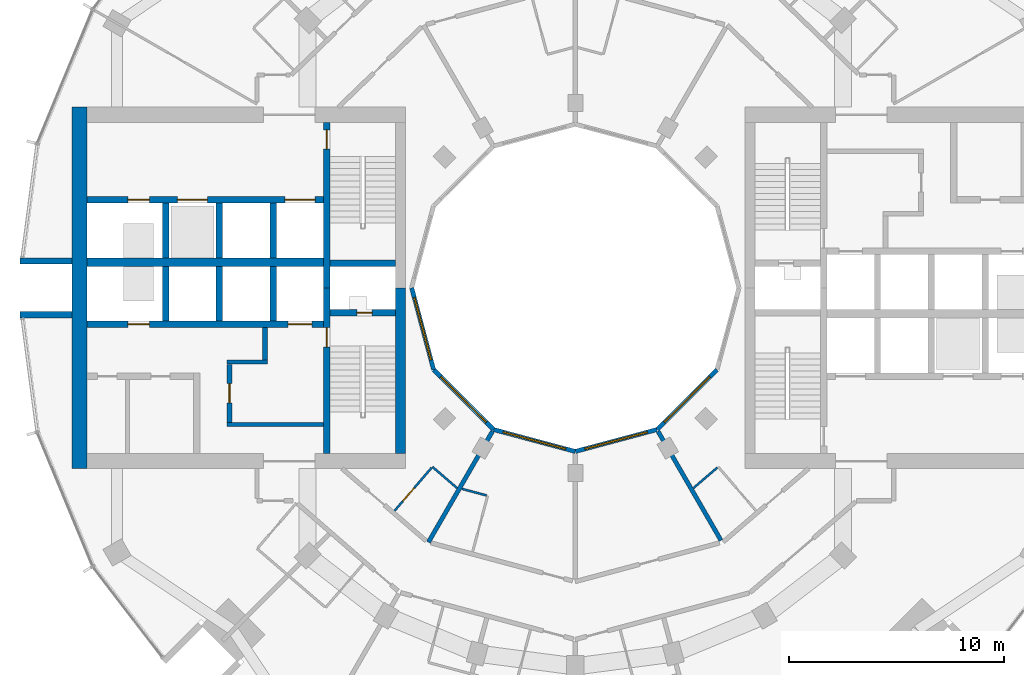
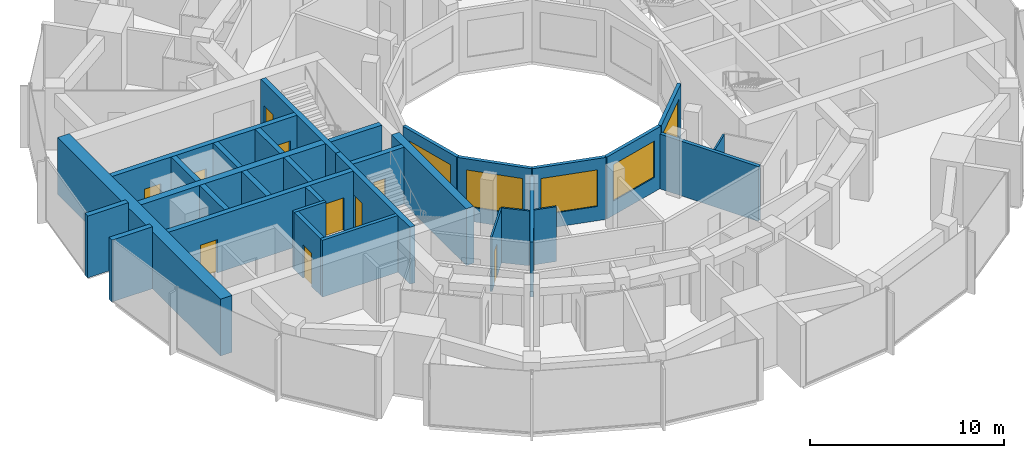
# One storey, part 9 of 15: 32 walls, 10 doors, 5 windows, 15 openings.
"""IFC4 building model written with IfcOpenShell, lengths in metres."""

from ifc_helpers import new_model, si_unit, direction, frame, frame_2d, origin, place, context, subcontext, project, spatial, rectangle, extrude, material, layer, layer_set, type_object, element, fill, save


model = new_model("IFC4")

# Units and contexts
model_context = context("Model", 3, precision=1e-05, world=origin(), true_north=direction((0.0, 1.0)))
body_context = subcontext(model_context, "Body", "Model", "MODEL_VIEW")
ifc_project = project(units=[si_unit("LENGTHUNIT", "METRE"), si_unit("AREAUNIT", "SQUARE_METRE"), si_unit("VOLUMEUNIT", "CUBIC_METRE"), si_unit("PLANEANGLEUNIT", "RADIAN"), si_unit("MASSUNIT", "GRAM", prefix="KILO")], contexts=[model_context])

# Site, building, storey
site_placement = place(None, origin())
site = spatial("IfcSite", under=ifc_project, at=site_placement, CompositionType="ELEMENT")
building_placement = place(site_placement, origin())
building = spatial("IfcBuilding", under=site, at=building_placement, Name="Torre Brocal", CompositionType="ELEMENT")
storey_placement = place(building_placement, frame((0.0, 0.0, 141.89990234375)))
storey = spatial("IfcBuildingStorey", under=building, at=storey_placement, Name="L33", CompositionType="ELEMENT", Elevation=141.89990234375)

# Walls
ifc_material_1 = material(Name="Concrete C70", Category="concrete")
ifc_layer_1 = layer(ifc_material_1, 0.199951171875)
ifc_layer_set_1 = layer_set([ifc_layer_1], Name="Concrete C70")
wall_type_1 = type_object("IfcWallType", Name="CORE WALL 200 C70", PredefinedType="SHEAR", material=ifc_layer_set_1)
wall_1_placement = place(storey_placement, frame((68.300048828125, 68.64990234375, 0.0), z_axis=(0.0, 0.0, 1.0), x_axis=(-1.0, 0.0, 0.0)))
element("IfcWall", 1, at=wall_1_placement, inside=storey, type_object=wall_type_1, Name="Wall CW200-70", PredefinedType="SHEAR", context=body_context, shape_type="SweptSolid", body=[
    extrude(rectangle(XDim=4.5, YDim=0.199951171875, at=frame_2d((2.25, 0.0))), origin(), (0.0, 0.0, 1.0), 3.580078125),
])
wall_2_placement = place(storey_placement, frame((65.699951171875, 71.550048828125, 0.0), z_axis=(0.0, 0.0, 1.0), x_axis=(-1.0, 0.0, 0.0)))
element("IfcWall", 2, at=wall_2_placement, inside=storey, type_object=wall_type_1, Name="Wall CW200-70", PredefinedType="SHEAR", context=body_context, shape_type="SweptSolid", body=[
    extrude(rectangle(XDim=1.89990234375, YDim=0.199951171875, at=frame_2d((0.949951171875, 0.0))), origin(), (0.0, 0.0, 1.0), 3.580078125),
])

# Wall, opening, door
ifc_material_2 = material(Name="Concrete C70", Category="concrete")
ifc_layer_2 = layer(ifc_material_2, 0.25)
ifc_layer_set_2 = layer_set([ifc_layer_2], Name="Concrete C70")
wall_type_2 = type_object("IfcWallType", Name="CORE WALL 250 C70", PredefinedType="SHEAR", material=ifc_layer_set_2)
wall_3_placement = place(storey_placement, frame((63.925048828125, 71.449951171875, 0.0), z_axis=(0.0, 0.0, 1.0), x_axis=(0.0, -1.0, 0.0)))
wall_3 = element("IfcWall", 3, at=wall_3_placement, inside=storey, type_object=wall_type_2, Name="Wall CW250-70", PredefinedType="SHEAR", context=body_context, shape_type="SweptSolid", body=[
    extrude(rectangle(XDim=2.699951171875, YDim=0.25, at=frame_2d((1.35009765625, 0.0))), origin(), (0.0, 0.0, 1.0), 3.580078125),
])
opening_1_placement = place(wall_3_placement, frame((0.89990234375, 0.0, 0.0)))
opening_1 = element("IfcOpeningElement", 4, at=opening_1_placement, cuts=wall_3, Name="Opening W-D15", PredefinedType="OPENING", context=body_context, shape_type="SweptSolid", body=[
    extrude(rectangle(XDim=0.89990234375, YDim=2.10009765625, at=frame_2d((0.449951171875, 1.050048828125))), frame((0.0, 0.135009765625, 0.0), z_axis=(0.0, -1.0, 0.0), x_axis=(1.0, 0.0, 0.0)), (0.0, 0.0, 1.0), 0.27001953125),
])
ifc_material_3 = material(Name="Steel A653", Category="steel")
door_type_1 = type_object("IfcDoorType", Name="LOBBY DOOR FD120 900X2100", OperationType="SINGLE_SWING_RIGHT", PredefinedType="DOOR", material=ifc_material_3)
door_1_placement = place(opening_1_placement, origin())
door_1 = element("IfcDoor", 5, at=door_1_placement, inside=storey, type_object=door_type_1, Name="Door W-D15", OperationType="SINGLE_SWING_LEFT", OverallHeight=2.10009765625, OverallWidth=0.89990234375, PredefinedType="DOOR", context=body_context, shape_type="SweptSolid", body=[
    extrude(rectangle(XDim=0.89990234375, YDim=2.10009765625, at=frame_2d((0.449951171875, 1.050048828125))), frame((0.0, 0.02490234375, 0.0), z_axis=(0.0, -1.0, 0.0), x_axis=(1.0, 0.0, 0.0)), (0.0, 0.0, 1.0), 0.050048828125),
])
fill(opening_1, door_1)

# Wall
wall_4_placement = place(storey_placement, frame((65.574951171875, 73.14990234375, 0.0), z_axis=(0.0, 0.0, 1.0), x_axis=(0.0, -1.0, 0.0)))
element("IfcWall", 6, at=wall_4_placement, inside=storey, type_object=wall_type_2, Name="Wall CW250-70", PredefinedType="SHEAR", context=body_context, shape_type="SweptSolid", body=[
    extrude(rectangle(XDim=1.5, YDim=0.25, at=frame_2d((0.75, 0.0))), origin(), (0.0, 0.0, 1.0), 3.580078125),
])

# Wall, opening, door
ifc_material_4 = material(Name="Concrete C70", Category="concrete")
ifc_layer_3 = layer(ifc_material_4, 0.300048828125)
ifc_layer_set_3 = layer_set([ifc_layer_3], Name="Concrete C70")
wall_type_3 = type_object("IfcWallType", Name="CORE WALL 300 C70", PredefinedType="SHEAR", material=ifc_layer_set_3)
wall_5_placement = place(storey_placement, frame((68.449951171875, 75.0, 0.0), z_axis=(0.0, 0.0, 1.0), x_axis=(0.0, -1.0, 0.0)))
wall_5 = element("IfcWall", 7, at=wall_5_placement, inside=storey, type_object=wall_type_3, Name="Wall CW300-70", PredefinedType="SHEAR", context=body_context, shape_type="SweptSolid", body=[
    extrude(rectangle(XDim=7.699951171875, YDim=0.300048828125, at=frame_2d((3.85009765625, 0.0))), origin(), (0.0, 0.0, 1.0), 3.580078125),
])
opening_2_placement = place(wall_5_placement, frame((1.85009765625, 0.0, 0.0)))
opening_2 = element("IfcOpeningElement", 8, at=opening_2_placement, cuts=wall_5, Name="Opening W-D02", PredefinedType="OPENING", context=body_context, shape_type="SweptSolid", body=[
    extrude(rectangle(XDim=0.89990234375, YDim=2.10009765625, at=frame_2d((0.449951171875, 1.050048828125))), frame((0.0, 0.159912109375, 0.0), z_axis=(0.0, -1.0, 0.0), x_axis=(1.0, 0.0, 0.0)), (0.0, 0.0, 1.0), 0.320068359375),
])
ifc_material_5 = material(Name="Steel A653", Category="steel")
door_type_2 = type_object("IfcDoorType", Name="STAIR DOOR FD120 900X2100", OperationType="SINGLE_SWING_RIGHT", PredefinedType="DOOR", material=ifc_material_5)
door_2_placement = place(opening_2_placement, origin())
door_2 = element("IfcDoor", 9, at=door_2_placement, inside=storey, type_object=door_type_2, Name="Door W-D02", OperationType="SINGLE_SWING_LEFT", OverallHeight=2.10009765625, OverallWidth=0.89990234375, PredefinedType="DOOR", context=body_context, shape_type="SweptSolid", body=[
    extrude(rectangle(XDim=0.89990234375, YDim=2.10009765625, at=frame_2d((0.449951171875, 1.050048828125))), frame((0.0, 0.02490234375, 0.0), z_axis=(0.0, -1.0, 0.0), x_axis=(1.0, 0.0, 0.0)), (0.0, 0.0, 1.0), 0.050048828125),
])
fill(opening_2, door_2)

wall_6_placement = place(storey_placement, frame((68.449951171875, 82.699951171875, 0.0), z_axis=(0.0, 0.0, 1.0), x_axis=(0.0, -1.0, 0.0)))
wall_6 = element("IfcWall", 10, at=wall_6_placement, inside=storey, type_object=wall_type_3, Name="Wall CW300-70", PredefinedType="SHEAR", context=body_context, shape_type="SweptSolid", body=[
    extrude(rectangle(XDim=7.699951171875, YDim=0.300048828125, at=frame_2d((3.85009765625, 0.0))), origin(), (0.0, 0.0, 1.0), 3.580078125),
])
opening_3_placement = place(wall_6_placement, frame((0.35009765625, 0.0, 0.0)))
opening_3 = element("IfcOpeningElement", 11, at=opening_3_placement, cuts=wall_6, Name="Opening W-D03", PredefinedType="OPENING", context=body_context, shape_type="SweptSolid", body=[
    extrude(rectangle(XDim=0.89990234375, YDim=2.10009765625, at=frame_2d((0.449951171875, 1.050048828125))), frame((0.0, 0.159912109375, 0.0), z_axis=(0.0, -1.0, 0.0), x_axis=(1.0, 0.0, 0.0)), (0.0, 0.0, 1.0), 0.320068359375),
])
door_3_placement = place(opening_3_placement, origin())
door_3 = element("IfcDoor", 12, at=door_3_placement, inside=storey, type_object=door_type_2, Name="Door W-D03", OperationType="SINGLE_SWING_LEFT", OverallHeight=2.10009765625, OverallWidth=0.89990234375, PredefinedType="DOOR", context=body_context, shape_type="SweptSolid", body=[
    extrude(rectangle(XDim=0.89990234375, YDim=2.10009765625, at=frame_2d((0.449951171875, 1.050048828125))), frame((0.0, 0.02490234375, 0.0), z_axis=(0.0, -1.0, 0.0), x_axis=(1.0, 0.0, 0.0)), (0.0, 0.0, 1.0), 0.050048828125),
])
fill(opening_3, door_3)

wall_7_placement = place(storey_placement, frame((71.64990234375, 73.85009765625, 0.0), z_axis=(0.0, 0.0, 1.0), x_axis=(-1.0, 0.0, 0.0)))
wall_7 = element("IfcWall", 13, at=wall_7_placement, inside=storey, type_object=wall_type_3, Name="Wall CW300-70", PredefinedType="SHEAR", context=body_context, shape_type="SweptSolid", body=[
    extrude(rectangle(XDim=3.0498046875, YDim=0.300048828125, at=frame_2d((1.52490234375, 0.0))), origin(), (0.0, 0.0, 1.0), 3.580078125),
])
opening_4_placement = place(wall_7_placement, frame((1.10009765625, 0.0, 0.0)))
opening_4 = element("IfcOpeningElement", 14, at=opening_4_placement, cuts=wall_7, Name="Opening W-D01", PredefinedType="OPENING", context=body_context, shape_type="SweptSolid", body=[
    extrude(rectangle(XDim=0.699951171875, YDim=2.0, at=frame_2d((0.35009765625, 1.0))), frame((0.0, 0.159912109375, 0.0), z_axis=(0.0, -1.0, 0.0), x_axis=(1.0, 0.0, 0.0)), (0.0, 0.0, 1.0), 0.320068359375),
])
ifc_material_6 = material(Name="Steel A653", Category="steel")
door_type_3 = type_object("IfcDoorType", Name="RISER DOOR FD120 700X2000", OperationType="SINGLE_SWING_LEFT", PredefinedType="DOOR", material=ifc_material_6)
door_4_placement = place(opening_4_placement, frame((0.699951171875, 0.0, 0.0), z_axis=(0.0, 0.0, 1.0), x_axis=(-1.0, 0.0, 0.0)))
door_4 = element("IfcDoor", 15, at=door_4_placement, inside=storey, type_object=door_type_3, Name="Door W-D01", OperationType="SINGLE_SWING_RIGHT", OverallHeight=2.0, OverallWidth=0.699951171875, PredefinedType="DOOR", context=body_context, shape_type="SweptSolid", body=[
    extrude(rectangle(XDim=0.699951171875, YDim=2.0, at=frame_2d((0.35009765625, 1.0))), frame((0.0, 0.02490234375, 0.0), z_axis=(0.0, -1.0, 0.0), x_axis=(1.0, 0.0, 0.0)), (0.0, 0.0, 1.0), 0.050048828125),
])
fill(opening_4, door_4)

# Wall
wall_8_placement = place(storey_placement, frame((71.64990234375, 76.14990234375, 0.0), z_axis=(0.0, 0.0, 1.0), x_axis=(-1.0, 0.0, 0.0)))
element("IfcWall", 16, at=wall_8_placement, inside=storey, type_object=wall_type_3, Name="Wall CW300-70", PredefinedType="SHEAR", context=body_context, shape_type="SweptSolid", body=[
    extrude(rectangle(XDim=3.0498046875, YDim=0.300048828125, at=frame_2d((1.52490234375, 0.0))), origin(), (0.0, 0.0, 1.0), 3.580078125),
])

# Wall, openings, doors
wall_9_placement = place(storey_placement, frame((68.300048828125, 73.300048828125, 0.0), z_axis=(0.0, 0.0, 1.0), x_axis=(-1.0, 0.0, 0.0)))
wall_9 = element("IfcWall", 17, at=wall_9_placement, inside=storey, type_object=wall_type_3, Name="Wall CW300-70", PredefinedType="SHEAR", context=body_context, shape_type="SweptSolid", body=[
    extrude(rectangle(XDim=11.0, YDim=0.300048828125, at=frame_2d((5.5, 0.0))), origin(), (0.0, 0.0, 1.0), 3.580078125),
])
opening_5_placement = place(wall_9_placement, frame((0.550048828125, 0.0, 0.0)))
opening_5 = element("IfcOpeningElement", 18, at=opening_5_placement, cuts=wall_9, Name="Opening LD", PredefinedType="OPENING", context=body_context, shape_type="SweptSolid", body=[
    extrude(rectangle(XDim=1.10009765625, YDim=2.10009765625, at=frame_2d((0.550048828125, 1.050048828125))), frame((0.0, 0.159912109375, 0.0), z_axis=(0.0, -1.0, 0.0), x_axis=(1.0, 0.0, 0.0)), (0.0, 0.0, 1.0), 0.320068359375),
])
opening_6_placement = place(wall_9_placement, frame((8.10009765625, 0.0, 0.0)))
opening_6 = element("IfcOpeningElement", 19, at=opening_6_placement, cuts=wall_9, Name="Opening LD10", PredefinedType="OPENING", context=body_context, shape_type="SweptSolid", body=[
    extrude(rectangle(XDim=1.0, YDim=2.10009765625, at=frame_2d((0.5, 1.050048828125))), frame((0.0, 0.159912109375, 0.0), z_axis=(0.0, -1.0, 0.0), x_axis=(1.0, 0.0, 0.0)), (0.0, 0.0, 1.0), 0.320068359375),
])
ifc_material_7 = material(Name="Stainless steel AISI 316", Category="steel")
door_type_4 = type_object("IfcDoorType", Name="LIFT LANDING DOOR 1000X2100", OperationType="DOUBLE_DOOR_SLIDING", PredefinedType="DOOR", material=ifc_material_7)
door_5_placement = place(opening_6_placement, origin())
door_5 = element("IfcDoor", 20, at=door_5_placement, inside=storey, type_object=door_type_4, Name="Door LD10", OperationType="DOUBLE_DOOR_SLIDING", OverallHeight=2.10009765625, OverallWidth=1.0, PredefinedType="DOOR", context=body_context, shape_type="SweptSolid", body=[
    extrude(rectangle(XDim=1.0, YDim=2.10009765625, at=frame_2d((0.5, 1.050048828125))), frame((0.0, 0.02490234375, 0.0), z_axis=(0.0, -1.0, 0.0), x_axis=(1.0, 0.0, 0.0)), (0.0, 0.0, 1.0), 0.050048828125),
])
fill(opening_6, door_5)
ifc_material_8 = material(Name="Stainless steel AISI 316", Category="steel")
door_type_5 = type_object("IfcDoorType", Name="LIFT LANDING DOOR 1100X2100", OperationType="DOUBLE_DOOR_SLIDING", PredefinedType="DOOR", material=ifc_material_8)
door_6_placement = place(opening_5_placement, origin())
door_6 = element("IfcDoor", 21, at=door_6_placement, inside=storey, type_object=door_type_5, Name="Door LD", OperationType="DOUBLE_DOOR_SLIDING", OverallHeight=2.10009765625, OverallWidth=1.10009765625, PredefinedType="DOOR", context=body_context, shape_type="SweptSolid", body=[
    extrude(rectangle(XDim=1.10009765625, YDim=2.10009765625, at=frame_2d((0.550048828125, 1.050048828125))), frame((0.0, 0.02490234375, 0.0), z_axis=(0.0, -1.0, 0.0), x_axis=(1.0, 0.0, 0.0)), (0.0, 0.0, 1.0), 0.050048828125),
])
fill(opening_5, door_6)

wall_10_placement = place(storey_placement, frame((68.300048828125, 79.10009765625, 0.0), z_axis=(0.0, 0.0, 1.0), x_axis=(-1.0, 0.0, 0.0)))
wall_10 = element("IfcWall", 22, at=wall_10_placement, inside=storey, type_object=wall_type_3, Name="Wall CW300-70", PredefinedType="SHEAR", context=body_context, shape_type="SweptSolid", body=[
    extrude(rectangle(XDim=11.0, YDim=0.300048828125, at=frame_2d((5.5, 0.0))), origin(), (0.0, 0.0, 1.0), 3.580078125),
])
opening_7_placement = place(wall_10_placement, frame((0.39990234375, 0.0, 0.0)))
opening_7 = element("IfcOpeningElement", 23, at=opening_7_placement, cuts=wall_10, Name="Opening LD14", PredefinedType="OPENING", context=body_context, shape_type="SweptSolid", body=[
    extrude(rectangle(XDim=1.39990234375, YDim=2.10009765625, at=frame_2d((0.699951171875, 1.050048828125))), frame((0.0, 0.159912109375, 0.0), z_axis=(0.0, -1.0, 0.0), x_axis=(1.0, 0.0, 0.0)), (0.0, 0.0, 1.0), 0.320068359375),
])
opening_8_placement = place(wall_10_placement, frame((5.39990234375, 0.0, 0.0)))
opening_8 = element("IfcOpeningElement", 24, at=opening_8_placement, cuts=wall_10, Name="Opening LD14", PredefinedType="OPENING", context=body_context, shape_type="SweptSolid", body=[
    extrude(rectangle(XDim=1.39990234375, YDim=2.10009765625, at=frame_2d((0.699951171875, 1.050048828125))), frame((0.0, 0.159912109375, 0.0), z_axis=(0.0, -1.0, 0.0), x_axis=(1.0, 0.0, 0.0)), (0.0, 0.0, 1.0), 0.320068359375),
])
opening_9_placement = place(wall_10_placement, frame((8.10009765625, 0.0, 0.0)))
opening_9 = element("IfcOpeningElement", 25, at=opening_9_placement, cuts=wall_10, Name="Opening LD10", PredefinedType="OPENING", context=body_context, shape_type="SweptSolid", body=[
    extrude(rectangle(XDim=1.0, YDim=2.10009765625, at=frame_2d((0.5, 1.050048828125))), frame((0.0, 0.159912109375, 0.0), z_axis=(0.0, -1.0, 0.0), x_axis=(1.0, 0.0, 0.0)), (0.0, 0.0, 1.0), 0.320068359375),
])
door_7_placement = place(opening_9_placement, origin())
door_7 = element("IfcDoor", 26, at=door_7_placement, inside=storey, type_object=door_type_4, Name="Door LD10", OperationType="DOUBLE_DOOR_SLIDING", OverallHeight=2.10009765625, OverallWidth=1.0, PredefinedType="DOOR", context=body_context, shape_type="SweptSolid", body=[
    extrude(rectangle(XDim=1.0, YDim=2.10009765625, at=frame_2d((0.5, 1.050048828125))), frame((0.0, 0.02490234375, 0.0), z_axis=(0.0, -1.0, 0.0), x_axis=(1.0, 0.0, 0.0)), (0.0, 0.0, 1.0), 0.050048828125),
])
fill(opening_9, door_7)
ifc_material_9 = material(Name="Stainless steel AISI 316", Category="steel")
door_type_6 = type_object("IfcDoorType", Name="LIFT LANDING DOOR 1400X2100", OperationType="DOUBLE_DOOR_SLIDING", PredefinedType="DOOR", material=ifc_material_9)
door_8_placement = place(opening_7_placement, origin())
door_8 = element("IfcDoor", 27, at=door_8_placement, inside=storey, type_object=door_type_6, Name="Door LD14", OperationType="DOUBLE_DOOR_SLIDING", OverallHeight=2.10009765625, OverallWidth=1.39990234375, PredefinedType="DOOR", context=body_context, shape_type="SweptSolid", body=[
    extrude(rectangle(XDim=1.39990234375, YDim=2.10009765625, at=frame_2d((0.699951171875, 1.050048828125))), frame((0.0, 0.02490234375, 0.0), z_axis=(0.0, -1.0, 0.0), x_axis=(1.0, 0.0, 0.0)), (0.0, 0.0, 1.0), 0.050048828125),
])
fill(opening_7, door_8)
door_9_placement = place(opening_8_placement, origin())
door_9 = element("IfcDoor", 28, at=door_9_placement, inside=storey, type_object=door_type_6, Name="Door LD14", OperationType="DOUBLE_DOOR_SLIDING", OverallHeight=2.10009765625, OverallWidth=1.39990234375, PredefinedType="DOOR", context=body_context, shape_type="SweptSolid", body=[
    extrude(rectangle(XDim=1.39990234375, YDim=2.10009765625, at=frame_2d((0.699951171875, 1.050048828125))), frame((0.0, 0.02490234375, 0.0), z_axis=(0.0, -1.0, 0.0), x_axis=(1.0, 0.0, 0.0)), (0.0, 0.0, 1.0), 0.050048828125),
])
fill(opening_8, door_9)

# Walls
for number, where, z_axis, x_axis, name in (
    (29, (65.949951171875, 76.0, 0.0), (0.0, 0.0, 1.0), (0.0, -1.0, 0.0), "Wall CW300-70"),
    (30, (63.449951171875, 76.0, 0.0), (0.0, 0.0, 1.0), (0.0, -1.0, 0.0), "Wall CW300-70"),
    (31, (60.949951171875, 76.0, 0.0), (0.0, 0.0, 1.0), (0.0, -1.0, 0.0), "Wall CW300-70"),
    (32, (65.949951171875, 78.949951171875, 0.0), (0.0, 0.0, 1.0), (0.0, -1.0, 0.0), "Wall CW300-70"),
    (33, (63.449951171875, 78.949951171875, 0.0), (0.0, 0.0, 1.0), (0.0, -1.0, 0.0), "Wall CW300-70"),
    (34, (60.949951171875, 78.949951171875, 0.0), (0.0, 0.0, 1.0), (0.0, -1.0, 0.0), "Wall CW300-70"),
):
    element("IfcWall", number, at=place(storey_placement, frame(where, z_axis=z_axis, x_axis=x_axis)), inside=storey, type_object=wall_type_3, Name=name, PredefinedType="SHEAR", context=body_context, shape_type="SweptSolid", body=[
        extrude(rectangle(XDim=2.550048828125, YDim=0.300048828125, at=frame_2d((1.27490234375, 0.0))), origin(), (0.0, 0.0, 1.0), 3.580078125),
    ])
ifc_material_10 = material(Name="Concrete C70", Category="concrete")
ifc_layer_4 = layer(ifc_material_10, 0.39990234375)
ifc_layer_set_4 = layer_set([ifc_layer_4], Name="Concrete C70")
wall_type_4 = type_object("IfcWallType", Name="CORE WALL 400 C70", PredefinedType="SHEAR", material=ifc_layer_set_4)
wall_11_placement = place(storey_placement, frame((68.300048828125, 76.199951171875, 0.0), z_axis=(0.0, 0.0, 1.0), x_axis=(-1.0, 0.0, 0.0)))
element("IfcWall", 35, at=wall_11_placement, inside=storey, type_object=wall_type_4, Name="Wall CW400-70", PredefinedType="SHEAR", context=body_context, shape_type="SweptSolid", body=[
    extrude(rectangle(XDim=11.0, YDim=0.39990234375, at=frame_2d((5.5, 0.0))), origin(), (0.0, 0.0, 1.0), 3.580078125),
])
ifc_material_11 = material(Name="Concrete C70", Category="concrete")
ifc_layer_5 = layer(ifc_material_11, 0.449951171875)
ifc_layer_set_5 = layer_set([ifc_layer_5], Name="Concrete C70")
wall_type_5 = type_object("IfcWallType", Name="CORE WALL 450 C70", PredefinedType="SHEAR", material=ifc_layer_set_5)
wall_12_placement = place(storey_placement, frame((71.875, 75.0, 0.0), z_axis=(0.0, 0.0, 1.0), x_axis=(0.0, -1.0, 0.0)))
element("IfcWall", 36, at=wall_12_placement, inside=storey, type_object=wall_type_5, Name="Wall CW450-70", PredefinedType="SHEAR", context=body_context, shape_type="SweptSolid", body=[
    extrude(rectangle(XDim=7.699951171875, YDim=0.449951171875, at=frame_2d((3.85009765625, 0.0))), origin(), (0.0, 0.0, 1.0), 3.580078125),
])
ifc_material_12 = material(Name="Concrete C70", Category="concrete")
ifc_layer_6 = layer(ifc_material_12, 0.699951171875)
ifc_layer_set_6 = layer_set([ifc_layer_6], Name="Concrete C70")
wall_type_6 = type_object("IfcWallType", Name="CORE WALL 700 C70", PredefinedType="SHEAR", material=ifc_layer_set_6)
wall_13_placement = place(storey_placement, frame((56.949951171875, 83.39990234375, 0.0), z_axis=(0.0, 0.0, 1.0), x_axis=(0.0, -1.0, 0.0)))
element("IfcWall", 37, at=wall_13_placement, inside=storey, type_object=wall_type_6, Name="Wall CW700-70", PredefinedType="SHEAR", context=body_context, shape_type="SweptSolid", body=[
    extrude(rectangle(XDim=16.7998046875, YDim=0.699951171875, at=frame_2d((8.39990234375, 0.0))), origin(), (0.0, 0.0, 1.0), 3.580078125),
])
ifc_material_13 = material(Name="Concrete C70", Category="concrete")
ifc_layer_7 = layer(ifc_material_13, 0.300048828125)
ifc_layer_set_7 = layer_set([ifc_layer_7], Name="Concrete C70")
wall_type_7 = type_object("IfcWallType", Name="NOTCH RETURN WALL 300 C70", PredefinedType="NOTDEFINED", material=ifc_layer_set_7)
for number, where, z_axis, x_axis, name in (
    (38, (56.60009765625, 76.25, 0.0), (0.0, 0.0, 1.0), (-1.0, 0.0, 0.0), "NOTCH RETURN WALL"),
    (39, (56.60009765625, 73.75, 0.0), (0.0, 0.0, 1.0), (-1.0, 0.0, 0.0), "NOTCH RETURN WALL"),
):
    element("IfcWall", number, at=place(storey_placement, frame(where, z_axis=z_axis, x_axis=x_axis)), inside=storey, type_object=wall_type_7, Name=name, PredefinedType="NOTDEFINED", context=body_context, shape_type="SweptSolid", body=[
        extrude(rectangle(XDim=2.415771484375, YDim=0.300048828125, at=frame_2d((1.2080078125, 0.0))), origin(), (0.0, 0.0, 1.0), 3.900146484375),
    ])

# Wall, opening, door
ifc_material_14 = material(Name="Gypsum board", Category="Gypsum")
ifc_layer_8 = layer(ifc_material_14, 0.10009765625)
ifc_layer_set_8 = layer_set([ifc_layer_8], Name="Gypsum board")
wall_type_8 = type_object("IfcWallType", Name="PARTITION 100", PredefinedType="PARTITIONING", material=ifc_layer_set_8)
wall_14_placement = place(storey_placement, frame((71.59619140625, 64.634765625, 0.0), z_axis=(0.0, 0.0, 1.0), x_axis=(0.652285007511, 0.757973791748, 0.0)))
wall_14 = element("IfcWall", 40, at=wall_14_placement, inside=storey, type_object=wall_type_8, Name="BATHROOM WALL", PredefinedType="PARTITIONING", context=body_context, shape_type="SweptSolid", body=[
    extrude(rectangle(XDim=2.649658203125, YDim=0.10009765625, at=frame_2d((1.32470703125, 0.0))), origin(), (0.0, 0.0, 1.0), 3.4501953125),
])
opening_10_placement = place(wall_14_placement, frame((0.599609375, 0.0, 0.0)))
opening_10 = element("IfcOpeningElement", 41, at=opening_10_placement, cuts=wall_14, Name="Opening E03-D40", PredefinedType="OPENING", context=body_context, shape_type="SweptSolid", body=[
    extrude(rectangle(XDim=0.800048828125, YDim=2.10009765625, at=frame_2d((0.39990234375, 1.050048828125))), frame((0.0, 0.06005859375, 0.0), z_axis=(0.0, -1.0, 0.0), x_axis=(1.0, 0.0, 0.0)), (0.0, 0.0, 1.0), 0.1201171875),
])
ifc_material_15 = material(Name="Timber", Category="wood")
door_type_7 = type_object("IfcDoorType", Name="BATHROOM DOOR 800X2100", OperationType="SINGLE_SWING_LEFT", PredefinedType="DOOR", material=ifc_material_15)
door_10_placement = place(opening_10_placement, frame((0.800048828125, 0.0, 0.0), z_axis=(0.0, 0.0, 1.0), x_axis=(-1.0, 0.0, 0.0)))
door_10 = element("IfcDoor", 42, at=door_10_placement, inside=storey, type_object=door_type_7, Name="E03-D40", OperationType="SINGLE_SWING_RIGHT", OverallHeight=2.10009765625, OverallWidth=0.800048828125, PredefinedType="DOOR", context=body_context, shape_type="SweptSolid", body=[
    extrude(rectangle(XDim=0.800048828125, YDim=2.10009765625, at=frame_2d((0.39990234375, 1.050048828125))), frame((0.0, 0.02490234375, 0.0), z_axis=(0.0, -1.0, 0.0), x_axis=(1.0, 0.0, 0.0)), (0.0, 0.0, 1.0), 0.050048828125),
])
fill(opening_10, door_10)

# Walls
wall_15_placement = place(storey_placement, frame((73.35693359375, 66.680908203125, 0.0), z_axis=(0.0, 0.0, 1.0), x_axis=(0.758263469747, -0.651948242154, 0.0)))
element("IfcWall", 43, at=wall_15_placement, inside=storey, type_object=wall_type_8, Name="BATHROOM WALL", PredefinedType="PARTITIONING", context=body_context, shape_type="SweptSolid", body=[
    extrude(rectangle(XDim=1.510986328125, YDim=0.10009765625, at=frame_2d((0.75537109375, 0.0))), origin(), (0.0, 0.0, 1.0), 3.4501953125),
])
wall_16_placement = place(storey_placement, frame((74.729248046875, 65.657470703125, 0.0), z_axis=(0.0, 0.0, 1.0), x_axis=(0.965948051503, -0.258736085224, 0.0)))
element("IfcWall", 44, at=wall_16_placement, inside=storey, type_object=wall_type_8, Name="BATHROOM WALL", PredefinedType="PARTITIONING", context=body_context, shape_type="SweptSolid", body=[
    extrude(rectangle(XDim=1.18896484375, YDim=0.10009765625, at=frame_2d((0.594482421875, 0.0))), origin(), (0.0, 0.0, 1.0), 3.4501953125),
])
wall_17_placement = place(storey_placement, frame((85.497314453125, 65.69580078125, 0.0), z_axis=(0.0, 0.0, 1.0), x_axis=(0.75817032582, 0.652056559698, 0.0)))
element("IfcWall", 45, at=wall_17_placement, inside=storey, type_object=wall_type_8, Name="BATHROOM WALL", PredefinedType="PARTITIONING", context=body_context, shape_type="SweptSolid", body=[
    extrude(rectangle(XDim=1.4609375, YDim=0.10009765625, at=frame_2d((0.73046875, 0.0))), origin(), (0.0, 0.0, 1.0), 3.4501953125),
])
ifc_material_16 = material(Name="Gypsum board", Category="Gypsum")
ifc_layer_9 = layer(ifc_material_16, 0.199951171875)
ifc_layer_set_9 = layer_set([ifc_layer_9], Name="Gypsum board")
wall_type_9 = type_object("IfcWallType", Name="PARTITION 200 EI60", PredefinedType="PARTITIONING", material=ifc_layer_set_9)
wall_18_placement = place(storey_placement, frame((73.172607421875, 63.17626953125, 0.0), z_axis=(0.0, 0.0, 1.0), x_axis=(0.500239348149, 0.865887171959, 0.0)))
element("IfcWall", 46, at=wall_18_placement, inside=storey, type_object=wall_type_9, Name="BATHROOM WALL", PredefinedType="PARTITIONING", context=body_context, shape_type="SweptSolid", body=[
    extrude(rectangle(XDim=5.955078125, YDim=0.199951171875, at=frame_2d((2.9775390625, 0.0))), origin(), (0.0, 0.0, 1.0), 3.4501953125),
])
wall_19_placement = place(storey_placement, frame((83.847412109375, 68.33203125, 0.0), z_axis=(0.0, 0.0, 1.0), x_axis=(0.499901724708, -0.866082135617, 0.0)))
element("IfcWall", 47, at=wall_19_placement, inside=storey, type_object=wall_type_9, Name="BATHROOM WALL", PredefinedType="PARTITIONING", context=body_context, shape_type="SweptSolid", body=[
    extrude(rectangle(XDim=5.855224609375, YDim=0.199951171875, at=frame_2d((2.927734375, 0.0))), origin(), (0.0, 0.0, 1.0), 3.4501953125),
])

# Wall, opening, window
ifc_material_17 = material(Name="Concrete C40", Category="concrete")
ifc_layer_10 = layer(ifc_material_17, 0.199951171875)
ifc_layer_set_10 = layer_set([ifc_layer_10], Name="Concrete C40")
wall_type_10 = type_object("IfcWallType", Name="WELL FACADE WALL 200", PredefinedType="NOTDEFINED", material=ifc_layer_set_10)
wall_20_placement = place(storey_placement, frame((72.396484375, 75.0, 0.0), z_axis=(0.0, 0.0, 1.0), x_axis=(0.258789828301, -0.965933654434, 0.0)))
wall_20 = element("IfcWall", 48, at=wall_20_placement, inside=storey, type_object=wall_type_10, Name="WELL FACADE WALL", PredefinedType="NOTDEFINED", context=body_context, shape_type="SweptSolid", body=[
    extrude(rectangle(XDim=3.935791015625, YDim=0.199951171875, at=frame_2d((1.9677734375, 0.0))), origin(), (0.0, 0.0, 1.0), 3.900146484375),
])
opening_11_placement = place(wall_20_placement, frame((0.468017578125, 0.0, 0.89990234375)))
opening_11 = element("IfcOpeningElement", 49, at=opening_11_placement, cuts=wall_20, Name="Opening W1", PredefinedType="OPENING", context=body_context, shape_type="SweptSolid", body=[
    extrude(rectangle(XDim=3.0, YDim=2.300048828125, at=frame_2d((1.5, 1.14990234375))), frame((0.0, 0.10986328125, 0.0), z_axis=(0.0, -1.0, 0.0), x_axis=(1.0, 0.0, 0.0)), (0.0, 0.0, 1.0), 0.219970703125),
])
ifc_material_18 = material(Name="Aluminium and glass", Category="aluminium")
window_type = type_object("IfcWindowType", Name="WELL WINDOW 3000X2300", PartitioningType="SINGLE_PANEL", PredefinedType="WINDOW", material=ifc_material_18)
window_1_placement = place(opening_11_placement, origin())
window_1 = element("IfcWindow", 50, at=window_1_placement, inside=storey, type_object=window_type, Name="WELL WINDOW 3000X2300", OverallHeight=2.300048828125, OverallWidth=3.0, PartitioningType="SINGLE_PANEL", PredefinedType="WINDOW", context=body_context, shape_type="SweptSolid", body=[
    extrude(rectangle(XDim=3.0, YDim=2.300048828125, at=frame_2d((1.5, 1.14990234375))), frame((0.0, 0.030029296875, 0.0), z_axis=(0.0, -1.0, 0.0), x_axis=(1.0, 0.0, 0.0)), (0.0, 0.0, 1.0), 0.06005859375),
])
fill(opening_11, window_1)

wall_21_placement = place(storey_placement, frame((73.4150390625, 71.1982421875, 0.0), z_axis=(0.0, 0.0, 1.0), x_axis=(0.707106781187, -0.707106781187, 0.0)))
wall_21 = element("IfcWall", 51, at=wall_21_placement, inside=storey, type_object=wall_type_10, Name="WELL FACADE WALL", PredefinedType="NOTDEFINED", context=body_context, shape_type="SweptSolid", body=[
    extrude(rectangle(XDim=3.93603515625, YDim=0.199951171875, at=frame_2d((1.968017578125, 0.0))), origin(), (0.0, 0.0, 1.0), 3.900146484375),
])
opening_12_placement = place(wall_21_placement, frame((0.468017578125, 0.0, 0.89990234375)))
opening_12 = element("IfcOpeningElement", 52, at=opening_12_placement, cuts=wall_21, Name="Opening W1", PredefinedType="OPENING", context=body_context, shape_type="SweptSolid", body=[
    extrude(rectangle(XDim=3.0, YDim=2.300048828125, at=frame_2d((1.5, 1.14990234375))), frame((0.0, 0.10986328125, 0.0), z_axis=(0.0, -1.0, 0.0), x_axis=(1.0, 0.0, 0.0)), (0.0, 0.0, 1.0), 0.219970703125),
])
window_2_placement = place(opening_12_placement, origin())
window_2 = element("IfcWindow", 53, at=window_2_placement, inside=storey, type_object=window_type, Name="WELL WINDOW 3000X2300", OverallHeight=2.300048828125, OverallWidth=3.0, PartitioningType="SINGLE_PANEL", PredefinedType="WINDOW", context=body_context, shape_type="SweptSolid", body=[
    extrude(rectangle(XDim=3.0, YDim=2.300048828125, at=frame_2d((1.5, 1.14990234375))), frame((0.0, 0.030029296875, 0.0), z_axis=(0.0, -1.0, 0.0), x_axis=(1.0, 0.0, 0.0)), (0.0, 0.0, 1.0), 0.06005859375),
])
fill(opening_12, window_2)

wall_22_placement = place(storey_placement, frame((76.1982421875, 68.4150390625, 0.0), z_axis=(0.0, 0.0, 1.0), x_axis=(0.965933654434, -0.258789828301, 0.0)))
wall_22 = element("IfcWall", 54, at=wall_22_placement, inside=storey, type_object=wall_type_10, Name="WELL FACADE WALL", PredefinedType="NOTDEFINED", context=body_context, shape_type="SweptSolid", body=[
    extrude(rectangle(XDim=3.935791015625, YDim=0.199951171875, at=frame_2d((1.9677734375, 0.0))), origin(), (0.0, 0.0, 1.0), 3.900146484375),
])
opening_13_placement = place(wall_22_placement, frame((0.468017578125, 0.0, 0.89990234375)))
opening_13 = element("IfcOpeningElement", 55, at=opening_13_placement, cuts=wall_22, Name="Opening W1", PredefinedType="OPENING", context=body_context, shape_type="SweptSolid", body=[
    extrude(rectangle(XDim=3.0, YDim=2.300048828125, at=frame_2d((1.5, 1.14990234375))), frame((0.0, 0.10986328125, 0.0), z_axis=(0.0, -1.0, 0.0), x_axis=(1.0, 0.0, 0.0)), (0.0, 0.0, 1.0), 0.219970703125),
])
window_3_placement = place(opening_13_placement, origin())
window_3 = element("IfcWindow", 56, at=window_3_placement, inside=storey, type_object=window_type, Name="WELL WINDOW 3000X2300", OverallHeight=2.300048828125, OverallWidth=3.0, PartitioningType="SINGLE_PANEL", PredefinedType="WINDOW", context=body_context, shape_type="SweptSolid", body=[
    extrude(rectangle(XDim=3.0, YDim=2.300048828125, at=frame_2d((1.5, 1.14990234375))), frame((0.0, 0.030029296875, 0.0), z_axis=(0.0, -1.0, 0.0), x_axis=(1.0, 0.0, 0.0)), (0.0, 0.0, 1.0), 0.06005859375),
])
fill(opening_13, window_3)

wall_23_placement = place(storey_placement, frame((80.0, 67.396484375, 0.0), z_axis=(0.0, 0.0, 1.0), x_axis=(0.965933654434, 0.258789828301, 0.0)))
wall_23 = element("IfcWall", 57, at=wall_23_placement, inside=storey, type_object=wall_type_10, Name="WELL FACADE WALL", PredefinedType="NOTDEFINED", context=body_context, shape_type="SweptSolid", body=[
    extrude(rectangle(XDim=3.935791015625, YDim=0.199951171875, at=frame_2d((1.9677734375, 0.0))), origin(), (0.0, 0.0, 1.0), 3.900146484375),
])
opening_14_placement = place(wall_23_placement, frame((0.468017578125, 0.0, 0.89990234375)))
opening_14 = element("IfcOpeningElement", 58, at=opening_14_placement, cuts=wall_23, Name="Opening W1", PredefinedType="OPENING", context=body_context, shape_type="SweptSolid", body=[
    extrude(rectangle(XDim=3.0, YDim=2.300048828125, at=frame_2d((1.5, 1.14990234375))), frame((0.0, 0.10986328125, 0.0), z_axis=(0.0, -1.0, 0.0), x_axis=(1.0, 0.0, 0.0)), (0.0, 0.0, 1.0), 0.219970703125),
])
window_4_placement = place(opening_14_placement, origin())
window_4 = element("IfcWindow", 59, at=window_4_placement, inside=storey, type_object=window_type, Name="WELL WINDOW 3000X2300", OverallHeight=2.300048828125, OverallWidth=3.0, PartitioningType="SINGLE_PANEL", PredefinedType="WINDOW", context=body_context, shape_type="SweptSolid", body=[
    extrude(rectangle(XDim=3.0, YDim=2.300048828125, at=frame_2d((1.5, 1.14990234375))), frame((0.0, 0.030029296875, 0.0), z_axis=(0.0, -1.0, 0.0), x_axis=(1.0, 0.0, 0.0)), (0.0, 0.0, 1.0), 0.06005859375),
])
fill(opening_14, window_4)

wall_24_placement = place(storey_placement, frame((83.8017578125, 68.4150390625, 0.0), z_axis=(0.0, 0.0, 1.0), x_axis=(0.707106781187, 0.707106781187, 0.0)))
wall_24 = element("IfcWall", 60, at=wall_24_placement, inside=storey, type_object=wall_type_10, Name="WELL FACADE WALL", PredefinedType="NOTDEFINED", context=body_context, shape_type="SweptSolid", body=[
    extrude(rectangle(XDim=3.93603515625, YDim=0.199951171875, at=frame_2d((1.968017578125, 0.0))), origin(), (0.0, 0.0, 1.0), 3.900146484375),
])
opening_15_placement = place(wall_24_placement, frame((0.468017578125, 0.0, 0.89990234375)))
opening_15 = element("IfcOpeningElement", 61, at=opening_15_placement, cuts=wall_24, Name="Opening W1", PredefinedType="OPENING", context=body_context, shape_type="SweptSolid", body=[
    extrude(rectangle(XDim=3.0, YDim=2.300048828125, at=frame_2d((1.5, 1.14990234375))), frame((0.0, 0.10986328125, 0.0), z_axis=(0.0, -1.0, 0.0), x_axis=(1.0, 0.0, 0.0)), (0.0, 0.0, 1.0), 0.219970703125),
])
window_5_placement = place(opening_15_placement, origin())
window_5 = element("IfcWindow", 62, at=window_5_placement, inside=storey, type_object=window_type, Name="WELL WINDOW 3000X2300", OverallHeight=2.300048828125, OverallWidth=3.0, PartitioningType="SINGLE_PANEL", PredefinedType="WINDOW", context=body_context, shape_type="SweptSolid", body=[
    extrude(rectangle(XDim=3.0, YDim=2.300048828125, at=frame_2d((1.5, 1.14990234375))), frame((0.0, 0.030029296875, 0.0), z_axis=(0.0, -1.0, 0.0), x_axis=(1.0, 0.0, 0.0)), (0.0, 0.0, 1.0), 0.06005859375),
])
fill(opening_15, window_5)

save(model, "model.ifc")
